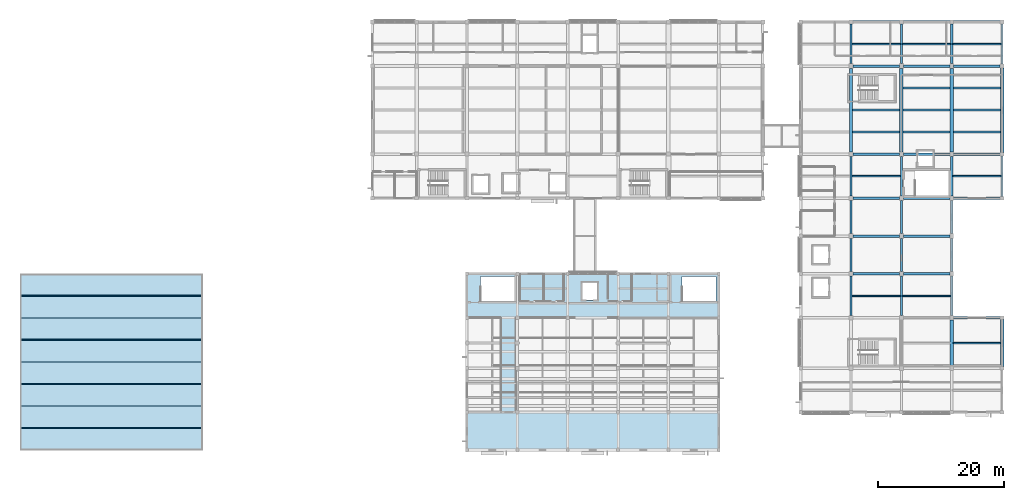
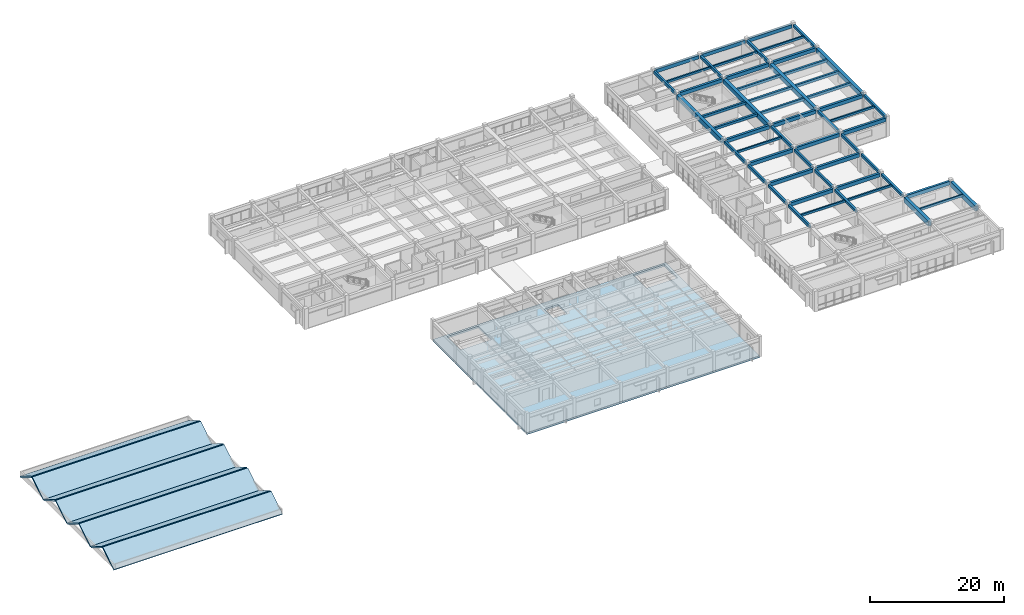
# One storey, part 16 of 33: 56 beams, 9 slabs.
"""IFC4 building model written with IfcOpenShell, lengths in metres."""

from ifc_helpers import new_model, si_unit, direction, frame, origin, origin_2d, place, context, subcontext, project, spatial, polyline, rectangle, outline, extrude, material, layer, layer_set, material_profile, profile_set, type_object, element, save


model = new_model("IFC4")

# Units and contexts
model_context = context("Model", 3, precision=1e-05, world=origin(), true_north=direction((0.0, 1.0)))
body_context = subcontext(model_context, "Body", "Model", "MODEL_VIEW")
ifc_project = project(units=[si_unit("LENGTHUNIT", "METRE"), si_unit("AREAUNIT", "SQUARE_METRE"), si_unit("VOLUMEUNIT", "CUBIC_METRE"), si_unit("PLANEANGLEUNIT", "RADIAN"), si_unit("MASSUNIT", "GRAM", prefix="KILO")], contexts=[model_context])

# Site, building, storey
site_placement = place(None, origin())
site = spatial("IfcSite", under=ifc_project, at=site_placement, CompositionType="ELEMENT")
building_placement = place(site_placement, origin())
building = spatial("IfcBuilding", under=site, at=building_placement, Name="Naurynzar Civic Courthouse", CompositionType="ELEMENT")
storey_placement = place(building_placement, frame((0.0, 0.0, 22.050048828125)))
storey = spatial("IfcBuildingStorey", under=building, at=storey_placement, Name="L06", CompositionType="ELEMENT", Elevation=22.050048828125)

# Beams
ifc_material_1 = material(Name="Concrete C40/50", Category="concrete")
ifc_material_profile_1 = material_profile(ifc_material_1, rectangle(XDim=0.25, YDim=0.39990234375, at=origin_2d()), Name="RCB 250x400")
ifc_profile_set_1 = profile_set([ifc_material_profile_1], Name="Concrete C40/50")
beam_type_1 = type_object("IfcBeamType", Name="BM-JST-250x400", PredefinedType="JOIST", material=ifc_profile_set_1)
beam_1_placement = place(storey_placement, frame((154.27490234375, 21.0, 3.22998046875), z_axis=(1.0, 0.0, 0.0), x_axis=(0.0, 1.0, 0.0)))
element("IfcBeam", 1, at=beam_1_placement, inside=storey, type_object=beam_type_1, Name="V5 secondary rib 2801 L06", PredefinedType="JOIST", context=body_context, shape_type="SweptSolid", body=[
    extrude(rectangle(XDim=0.25, YDim=0.39990234375, at=origin_2d()), origin(), (0.0, 0.0, 1.0), 7.4501953125),
])
for number, where, z_axis, x_axis, name in (
    (2, (138.175048828125, 28.5, 3.22998046875), (1.0, 0.0, 0.0), (0.0, 1.0, 0.0), "V5 secondary rib 2802 L06"),
    (3, (146.175048828125, 28.5, 3.22998046875), (1.0, 0.0, 0.0), (0.0, 1.0, 0.0), "V5 secondary rib 2803 L06"),
    (4, (138.175048828125, 47.5, 3.22998046875), (1.0, 0.0, 0.0), (0.0, 1.0, 0.0), "V5 secondary rib 2805 L06"),
    (5, (154.175048828125, 47.5, 3.22998046875), (1.0, 0.0, 0.0), (0.0, 1.0, 0.0), "V5 secondary rib 2806 L06"),
    (6, (138.175048828125, 68.5, 3.22998046875), (1.0, 0.0, 0.0), (0.0, 1.0, 0.0), "V5 secondary rib 2818 L06"),
    (7, (146.175048828125, 68.5, 3.22998046875), (1.0, 0.0, 0.0), (0.0, 1.0, 0.0), "V5 secondary rib 2819 L06"),
    (8, (154.175048828125, 68.5, 3.22998046875), (1.0, 0.0, 0.0), (0.0, 1.0, 0.0), "V5 secondary rib 2820 L06"),
):
    element("IfcBeam", number, at=place(storey_placement, frame(where, z_axis=z_axis, x_axis=x_axis)), inside=storey, type_object=beam_type_1, Name=name, PredefinedType="JOIST", context=body_context, shape_type="SweptSolid", body=[
        extrude(rectangle(XDim=0.25, YDim=0.39990234375, at=origin_2d()), origin(), (0.0, 0.0, 1.0), 7.64990234375),
    ])
ifc_material_2 = material(Name="Concrete C40/50", Category="concrete")
ifc_material_profile_2 = material_profile(ifc_material_2, rectangle(XDim=0.550048828125, YDim=0.85009765625, at=origin_2d()), Name="PTB 550x850")
ifc_profile_set_2 = profile_set([ifc_material_profile_2], Name="Concrete C40/50")
beam_type_2 = type_object("IfcBeamType", Name="BM-PT-550x850", PredefinedType="T_BEAM", material=ifc_profile_set_2)
for number, where, z_axis, x_axis, name in (
    (9, (138.0, 51.375, 3.0048828125), (0.0, 1.0, 0.0), (-1.0, 0.0, 0.0), "V5 girder Y-2773 L06"),
    (10, (146.0, 51.375, 3.0048828125), (0.0, 1.0, 0.0), (-1.0, 0.0, 0.0), "V5 girder Y-2781 L06"),
    (11, (154.0, 51.375, 3.0048828125), (0.0, 1.0, 0.0), (-1.0, 0.0, 0.0), "V5 girder Y-2789 L06"),
):
    element("IfcBeam", number, at=place(storey_placement, frame(where, z_axis=z_axis, x_axis=x_axis)), inside=storey, type_object=beam_type_2, Name=name, PredefinedType="T_BEAM", context=body_context, shape_type="SweptSolid", body=[
        extrude(rectangle(XDim=0.550048828125, YDim=0.85009765625, at=origin_2d()), origin(), (0.0, 0.0, 1.0), 13.25),
    ])
beam_2_placement = place(storey_placement, frame((162.0, 51.300048828125, 3.0048828125), z_axis=(0.0, 1.0, 0.0), x_axis=(-1.0, 0.0, 0.0)))
element("IfcBeam", 12, at=beam_2_placement, inside=storey, type_object=beam_type_2, Name="V5 girder Y-2794 L06", PredefinedType="T_BEAM", context=body_context, shape_type="SweptSolid", body=[
    extrude(rectangle(XDim=0.550048828125, YDim=0.85009765625, at=origin_2d()), origin(), (0.0, 0.0, 1.0), 13.39990234375),
])
ifc_material_3 = material(Name="Concrete C40/50", Category="concrete")
ifc_material_profile_3 = material_profile(ifc_material_3, rectangle(XDim=0.35009765625, YDim=0.449951171875, at=origin_2d()), Name="RCB 350x450")
ifc_profile_set_3 = profile_set([ifc_material_profile_3], Name="Concrete C40/50")
beam_type_3 = type_object("IfcBeamType", Name="BM-RC-350x450", PredefinedType="BEAM", material=ifc_profile_set_3)
for number, where, z_axis, x_axis, name in (
    (13, (138.27490234375, 54.5, 3.204833984375), (1.0, 0.0, 0.0), (0.0, 1.0, 0.0), "V5 secondary rib 2809 L06"),
    (14, (138.27490234375, 58.0, 3.204833984375), (1.0, 0.0, 0.0), (0.0, 1.0, 0.0), "V5 secondary rib 2810 L06"),
    (15, (146.27490234375, 54.5, 3.204833984375), (1.0, 0.0, 0.0), (0.0, 1.0, 0.0), "V5 secondary rib 2811 L06"),
    (16, (146.27490234375, 58.0, 3.204833984375), (1.0, 0.0, 0.0), (0.0, 1.0, 0.0), "V5 secondary rib 2812 L06"),
    (17, (146.27490234375, 61.5, 3.204833984375), (1.0, 0.0, 0.0), (0.0, 1.0, 0.0), "V5 secondary rib 2813 L06"),
    (18, (154.27490234375, 54.5, 3.204833984375), (1.0, 0.0, 0.0), (0.0, 1.0, 0.0), "V5 secondary rib 2814 L06"),
    (19, (154.27490234375, 58.0, 3.204833984375), (1.0, 0.0, 0.0), (0.0, 1.0, 0.0), "V5 secondary rib 2815 L06"),
    (20, (154.27490234375, 61.5, 3.204833984375), (1.0, 0.0, 0.0), (0.0, 1.0, 0.0), "V5 secondary rib 2816 L06"),
):
    element("IfcBeam", number, at=place(storey_placement, frame(where, z_axis=z_axis, x_axis=x_axis)), inside=storey, type_object=beam_type_3, Name=name, PredefinedType="BEAM", context=body_context, shape_type="SweptSolid", body=[
        extrude(rectangle(XDim=0.35009765625, YDim=0.449951171875, at=origin_2d()), origin(), (0.0, 0.0, 1.0), 7.4501953125),
    ])
ifc_material_4 = material(Name="Concrete C40/50", Category="concrete")
ifc_material_profile_4 = material_profile(ifc_material_4, rectangle(XDim=0.35009765625, YDim=0.5, at=origin_2d()), Name="RCB 350x500")
ifc_profile_set_4 = profile_set([ifc_material_profile_4], Name="Concrete C40/50")
beam_type_4 = type_object("IfcBeamType", Name="BM-RC-350x500", PredefinedType="BEAM", material=ifc_profile_set_4)
beam_3_placement = place(storey_placement, frame((138.0, 25.375, 3.179931640625), z_axis=(0.0, 1.0, 0.0), x_axis=(-1.0, 0.0, 0.0)))
element("IfcBeam", 21, at=beam_3_placement, inside=storey, type_object=beam_type_4, Name="V5 girder Y-2769 L06", PredefinedType="BEAM", context=body_context, shape_type="SweptSolid", body=[
    extrude(rectangle(XDim=0.35009765625, YDim=0.5, at=origin_2d()), origin(), (0.0, 0.0, 1.0), 6.25),
])
for number, where, z_axis, x_axis, name in (
    (22, (138.0, 32.375, 3.179931640625), (0.0, 1.0, 0.0), (-1.0, 0.0, 0.0), "V5 girder Y-2770 L06"),
    (23, (138.0, 38.375, 3.179931640625), (0.0, 1.0, 0.0), (-1.0, 0.0, 0.0), "V5 girder Y-2771 L06"),
):
    element("IfcBeam", number, at=place(storey_placement, frame(where, z_axis=z_axis, x_axis=x_axis)), inside=storey, type_object=beam_type_4, Name=name, PredefinedType="BEAM", context=body_context, shape_type="SweptSolid", body=[
        extrude(rectangle(XDim=0.35009765625, YDim=0.5, at=origin_2d()), origin(), (0.0, 0.0, 1.0), 5.25),
    ])
beam_4_placement = place(storey_placement, frame((138.0, 44.375, 3.179931640625), z_axis=(0.0, 1.0, 0.0), x_axis=(-1.0, 0.0, 0.0)))
element("IfcBeam", 24, at=beam_4_placement, inside=storey, type_object=beam_type_4, Name="V5 girder Y-2772 L06", PredefinedType="BEAM", context=body_context, shape_type="SweptSolid", body=[
    extrude(rectangle(XDim=0.35009765625, YDim=0.5, at=origin_2d()), origin(), (0.0, 0.0, 1.0), 6.25),
])
beam_5_placement = place(storey_placement, frame((138.0, 65.375, 3.179931640625), z_axis=(0.0, 1.0, 0.0), x_axis=(-1.0, 0.0, 0.0)))
element("IfcBeam", 25, at=beam_5_placement, inside=storey, type_object=beam_type_4, Name="V5 girder Y-2774 L06", PredefinedType="BEAM", context=body_context, shape_type="SweptSolid", body=[
    extrude(rectangle(XDim=0.35009765625, YDim=0.5, at=origin_2d()), origin(), (0.0, 0.0, 1.0), 6.324951171875),
])
beam_6_placement = place(storey_placement, frame((146.0, 25.375, 3.179931640625), z_axis=(0.0, 1.0, 0.0), x_axis=(-1.0, 0.0, 0.0)))
element("IfcBeam", 26, at=beam_6_placement, inside=storey, type_object=beam_type_4, Name="V5 girder Y-2777 L06", PredefinedType="BEAM", context=body_context, shape_type="SweptSolid", body=[
    extrude(rectangle(XDim=0.35009765625, YDim=0.5, at=origin_2d()), origin(), (0.0, 0.0, 1.0), 6.25),
])
for number, where, z_axis, x_axis, name in (
    (27, (146.0, 32.375, 3.179931640625), (0.0, 1.0, 0.0), (-1.0, 0.0, 0.0), "V5 girder Y-2778 L06"),
    (28, (146.0, 38.375, 3.179931640625), (0.0, 1.0, 0.0), (-1.0, 0.0, 0.0), "V5 girder Y-2779 L06"),
):
    element("IfcBeam", number, at=place(storey_placement, frame(where, z_axis=z_axis, x_axis=x_axis)), inside=storey, type_object=beam_type_4, Name=name, PredefinedType="BEAM", context=body_context, shape_type="SweptSolid", body=[
        extrude(rectangle(XDim=0.35009765625, YDim=0.5, at=origin_2d()), origin(), (0.0, 0.0, 1.0), 5.25),
    ])
beam_7_placement = place(storey_placement, frame((146.0, 44.375, 3.179931640625), z_axis=(0.0, 1.0, 0.0), x_axis=(-1.0, 0.0, 0.0)))
element("IfcBeam", 29, at=beam_7_placement, inside=storey, type_object=beam_type_4, Name="V5 girder Y-2780 L06", PredefinedType="BEAM", context=body_context, shape_type="SweptSolid", body=[
    extrude(rectangle(XDim=0.35009765625, YDim=0.5, at=origin_2d()), origin(), (0.0, 0.0, 1.0), 6.25),
])
beam_8_placement = place(storey_placement, frame((146.0, 65.375, 3.179931640625), z_axis=(0.0, 1.0, 0.0), x_axis=(-1.0, 0.0, 0.0)))
element("IfcBeam", 30, at=beam_8_placement, inside=storey, type_object=beam_type_4, Name="V5 girder Y-2782 L06", PredefinedType="BEAM", context=body_context, shape_type="SweptSolid", body=[
    extrude(rectangle(XDim=0.35009765625, YDim=0.5, at=origin_2d()), origin(), (0.0, 0.0, 1.0), 6.324951171875),
])
beam_9_placement = place(storey_placement, frame((154.0, 25.375, 3.179931640625), z_axis=(0.0, 1.0, 0.0), x_axis=(-1.0, 0.0, 0.0)))
element("IfcBeam", 31, at=beam_9_placement, inside=storey, type_object=beam_type_4, Name="V5 girder Y-2785 L06", PredefinedType="BEAM", context=body_context, shape_type="SweptSolid", body=[
    extrude(rectangle(XDim=0.35009765625, YDim=0.5, at=origin_2d()), origin(), (0.0, 0.0, 1.0), 6.25),
])
for number, where, z_axis, x_axis, name in (
    (32, (154.0, 32.375, 3.179931640625), (0.0, 1.0, 0.0), (-1.0, 0.0, 0.0), "V5 girder Y-2786 L06"),
    (33, (154.0, 38.375, 3.179931640625), (0.0, 1.0, 0.0), (-1.0, 0.0, 0.0), "V5 girder Y-2787 L06"),
):
    element("IfcBeam", number, at=place(storey_placement, frame(where, z_axis=z_axis, x_axis=x_axis)), inside=storey, type_object=beam_type_4, Name=name, PredefinedType="BEAM", context=body_context, shape_type="SweptSolid", body=[
        extrude(rectangle(XDim=0.35009765625, YDim=0.5, at=origin_2d()), origin(), (0.0, 0.0, 1.0), 5.25),
    ])
beam_10_placement = place(storey_placement, frame((154.0, 44.375, 3.179931640625), z_axis=(0.0, 1.0, 0.0), x_axis=(-1.0, 0.0, 0.0)))
element("IfcBeam", 34, at=beam_10_placement, inside=storey, type_object=beam_type_4, Name="V5 girder Y-2788 L06", PredefinedType="BEAM", context=body_context, shape_type="SweptSolid", body=[
    extrude(rectangle(XDim=0.35009765625, YDim=0.5, at=origin_2d()), origin(), (0.0, 0.0, 1.0), 6.25),
])
beam_11_placement = place(storey_placement, frame((154.0, 65.375, 3.179931640625), z_axis=(0.0, 1.0, 0.0), x_axis=(-1.0, 0.0, 0.0)))
element("IfcBeam", 35, at=beam_11_placement, inside=storey, type_object=beam_type_4, Name="V5 girder Y-2790 L06", PredefinedType="BEAM", context=body_context, shape_type="SweptSolid", body=[
    extrude(rectangle(XDim=0.35009765625, YDim=0.5, at=origin_2d()), origin(), (0.0, 0.0, 1.0), 6.324951171875),
])
for number, where, z_axis, x_axis, name in (
    (36, (162.0, 44.300048828125, 3.179931640625), (0.0, 1.0, 0.0), (-1.0, 0.0, 0.0), "V5 girder Y-2793 L06"),
    (37, (162.0, 65.300048828125, 3.179931640625), (0.0, 1.0, 0.0), (-1.0, 0.0, 0.0), "V5 girder Y-2795 L06"),
):
    element("IfcBeam", number, at=place(storey_placement, frame(where, z_axis=z_axis, x_axis=x_axis)), inside=storey, type_object=beam_type_4, Name=name, PredefinedType="BEAM", context=body_context, shape_type="SweptSolid", body=[
        extrude(rectangle(XDim=0.35009765625, YDim=0.5, at=origin_2d()), origin(), (0.0, 0.0, 1.0), 6.39990234375),
    ])
ifc_material_5 = material(Name="Concrete C40/50", Category="concrete")
ifc_material_profile_5 = material_profile(ifc_material_5, rectangle(XDim=0.39990234375, YDim=0.64990234375, at=origin_2d()), Name="RCB 400x650")
ifc_profile_set_5 = profile_set([ifc_material_profile_5], Name="Concrete C40/50")
beam_type_5 = type_object("IfcBeamType", Name="BM-RC-400x650", PredefinedType="BEAM", material=ifc_profile_set_5)
for number, where, z_axis, x_axis, name in (
    (38, (154.300048828125, 25.0, 3.10498046875), (1.0, 0.0, 0.0), (0.0, 1.0, 0.0), "V5 beam X-2736 L06"),
    (39, (138.300048828125, 32.0, 3.10498046875), (1.0, 0.0, 0.0), (0.0, 1.0, 0.0), "V5 beam X-2738 L06"),
    (40, (146.300048828125, 32.0, 3.10498046875), (1.0, 0.0, 0.0), (0.0, 1.0, 0.0), "V5 beam X-2739 L06"),
    (41, (138.300048828125, 38.0, 3.10498046875), (1.0, 0.0, 0.0), (0.0, 1.0, 0.0), "V5 beam X-2741 L06"),
    (42, (146.300048828125, 38.0, 3.10498046875), (1.0, 0.0, 0.0), (0.0, 1.0, 0.0), "V5 beam X-2742 L06"),
    (43, (138.300048828125, 44.0, 3.10498046875), (1.0, 0.0, 0.0), (0.0, 1.0, 0.0), "V5 beam X-2744 L06"),
    (44, (146.300048828125, 44.0, 3.10498046875), (1.0, 0.0, 0.0), (0.0, 1.0, 0.0), "V5 beam X-2745 L06"),
    (45, (154.300048828125, 44.0, 3.10498046875), (1.0, 0.0, 0.0), (0.0, 1.0, 0.0), "V5 beam X-2746 L06"),
    (46, (138.300048828125, 51.0, 3.10498046875), (1.0, 0.0, 0.0), (0.0, 1.0, 0.0), "V5 beam X-2748 L06"),
    (47, (146.300048828125, 51.0, 3.10498046875), (1.0, 0.0, 0.0), (0.0, 1.0, 0.0), "V5 beam X-2749 L06"),
    (48, (154.300048828125, 51.0, 3.10498046875), (1.0, 0.0, 0.0), (0.0, 1.0, 0.0), "V5 beam X-2750 L06"),
    (49, (138.300048828125, 65.0, 3.10498046875), (1.0, 0.0, 0.0), (0.0, 1.0, 0.0), "V5 beam X-2752 L06"),
    (50, (146.300048828125, 65.0, 3.10498046875), (1.0, 0.0, 0.0), (0.0, 1.0, 0.0), "V5 beam X-2753 L06"),
    (51, (154.300048828125, 65.0, 3.10498046875), (1.0, 0.0, 0.0), (0.0, 1.0, 0.0), "V5 beam X-2754 L06"),
    (52, (138.300048828125, 72.0, 3.10498046875), (1.0, 0.0, 0.0), (0.0, 1.0, 0.0), "V5 beam X-2756 L06"),
    (53, (146.300048828125, 72.0, 3.10498046875), (1.0, 0.0, 0.0), (0.0, 1.0, 0.0), "V5 beam X-2757 L06"),
    (54, (154.300048828125, 72.0, 3.10498046875), (1.0, 0.0, 0.0), (0.0, 1.0, 0.0), "V5 beam X-2758 L06"),
):
    element("IfcBeam", number, at=place(storey_placement, frame(where, z_axis=z_axis, x_axis=x_axis)), inside=storey, type_object=beam_type_5, Name=name, PredefinedType="BEAM", context=body_context, shape_type="SweptSolid", body=[
        extrude(rectangle(XDim=0.39990234375, YDim=0.64990234375, at=origin_2d()), origin(), (0.0, 0.0, 1.0), 7.39990234375),
    ])
ifc_material_6 = material(Name="Concrete C40/50", Category="concrete")
ifc_material_profile_6 = material_profile(ifc_material_6, rectangle(XDim=0.550048828125, YDim=0.89990234375, at=origin_2d()), Name="RCB 550x900")
ifc_profile_set_6 = profile_set([ifc_material_profile_6], Name="Concrete C40/50")
beam_type_6 = type_object("IfcBeamType", Name="BM-RC-550x900", PredefinedType="T_BEAM", material=ifc_profile_set_6)
beam_12_placement = place(storey_placement, frame((154.0, 17.375, 2.97998046875), z_axis=(0.0, 1.0, 0.0), x_axis=(-1.0, 0.0, 0.0)))
element("IfcBeam", 55, at=beam_12_placement, inside=storey, type_object=beam_type_6, Name="V5 girder Y-2784 L06", PredefinedType="T_BEAM", context=body_context, shape_type="SweptSolid", body=[
    extrude(rectangle(XDim=0.550048828125, YDim=0.89990234375, at=origin_2d()), origin(), (0.0, 0.0, 1.0), 7.25),
])
beam_13_placement = place(storey_placement, frame((162.0, 17.300048828125, 2.97998046875), z_axis=(0.0, 1.0, 0.0), x_axis=(-1.0, 0.0, 0.0)))
element("IfcBeam", 56, at=beam_13_placement, inside=storey, type_object=beam_type_6, Name="V5 girder Y-2792 L06", PredefinedType="T_BEAM", context=body_context, shape_type="SweptSolid", body=[
    extrude(rectangle(XDim=0.550048828125, YDim=0.89990234375, at=origin_2d()), origin(), (0.0, 0.0, 1.0), 7.39990234375),
])

# Slabs
ifc_material_7 = material(Name="Concrete C40/50", Category="concrete")
ifc_layer_1 = layer(ifc_material_7, 0.260009765625)
ifc_layer_set_1 = layer_set([ifc_layer_1], Name="ROOF-FOLD-260")
slab_type_1 = type_object("IfcSlabType", Name="ROOF-FOLD-260", PredefinedType="ROOF", material=ifc_layer_set_1)
for number, where, z_axis, x_axis, name in (
    (57, (6.0, 4.0, 0.0), (0.0, -0.514495755428, 0.857492925713), (1.0, 0.0, 0.0), "V4 Public Hall signature folded-plate roof facet 1"),
    (58, (6.0, 7.610107421875, 2.033935546875), (0.0, 0.514495755428, 0.857492925713), (1.0, 0.0, 0.0), "V4 Public Hall signature folded-plate roof facet 2"),
    (59, (6.0, 11.0, 0.0), (0.0, -0.514495755428, 0.857492925713), (1.0, 0.0, 0.0), "V4 Public Hall signature folded-plate roof facet 3"),
    (60, (6.0, 14.610107421875, 2.033935546875), (0.0, 0.514495755428, 0.857492925713), (1.0, 0.0, 0.0), "V4 Public Hall signature folded-plate roof facet 4"),
    (61, (6.0, 18.0, 0.0), (0.0, -0.514495755428, 0.857492925713), (1.0, 0.0, 0.0), "V4 Public Hall signature folded-plate roof facet 5"),
    (62, (6.0, 21.610107421875, 2.033935546875), (0.0, 0.514495755428, 0.857492925713), (1.0, 0.0, 0.0), "V4 Public Hall signature folded-plate roof facet 6"),
    (63, (6.0, 25.0, 0.0), (0.0, -0.514495755428, 0.857492925713), (1.0, 0.0, 0.0), "V4 Public Hall signature folded-plate roof facet 7"),
    (64, (6.0, 28.610107421875, 2.033935546875), (0.0, 0.514495755428, 0.857492925713), (1.0, 0.0, 0.0), "V4 Public Hall signature folded-plate roof facet 8"),
):
    element("IfcSlab", number, at=place(storey_placement, frame(where, z_axis=z_axis, x_axis=x_axis)), inside=storey, type_object=slab_type_1, Name=name, PredefinedType="ROOF", context=body_context, shape_type="SweptSolid", body=[
        extrude(outline(polyline([(0.0, 0.0), (29.0, 0.0), (29.0, 3.9532601103479976), (0.0, 3.9532601103479976), (0.0, 0.0)])), origin(), (0.0, 0.0, -1.0), 0.260009765625),
    ])
ifc_material_8 = material(Name="Concrete C35/45", Category="concrete")
ifc_layer_2 = layer(ifc_material_8, 0.340087890625)
ifc_layer_set_2 = layer_set([ifc_layer_2], Name="SLB-STACK-340")
slab_type_2 = type_object("IfcSlabType", Name="SLB-STACK-340", PredefinedType="FLOOR", material=ifc_layer_set_2)
slab_placement = place(storey_placement, frame((0.0, 0.0, -0.340087890625)))
element("IfcSlab", 65, at=slab_placement, inside=storey, type_object=slab_type_2, Name="V3 floor slab L06", PredefinedType="FLOOR", context=body_context, shape_type="SweptSolid", body=[
    extrude(outline(polyline([(117.0, 4.0), (117.0, 32.0), (77.0, 32.0), (77.0, 4.0), (117.0, 4.0)]), holes=[polyline([(79.179931640625, 27.60009765625), (84.550048828125, 27.60009765625), (84.550048828125, 31.60009765625), (79.179931640625, 31.60009765625), (79.179931640625, 27.60009765625)]), polyline([(111.179931640625, 27.60009765625), (116.550048828125, 27.60009765625), (116.550048828125, 31.60009765625), (111.179931640625, 31.60009765625), (111.179931640625, 27.60009765625)]), polyline([(95.300048828125, 27.85009765625), (97.699951171875, 27.85009765625), (97.699951171875, 30.550048828125), (95.300048828125, 30.550048828125), (95.300048828125, 27.85009765625)])]), origin(), (0.0, 0.0, 1.0), 0.340087890625),
])

save(model, "model.ifc")
